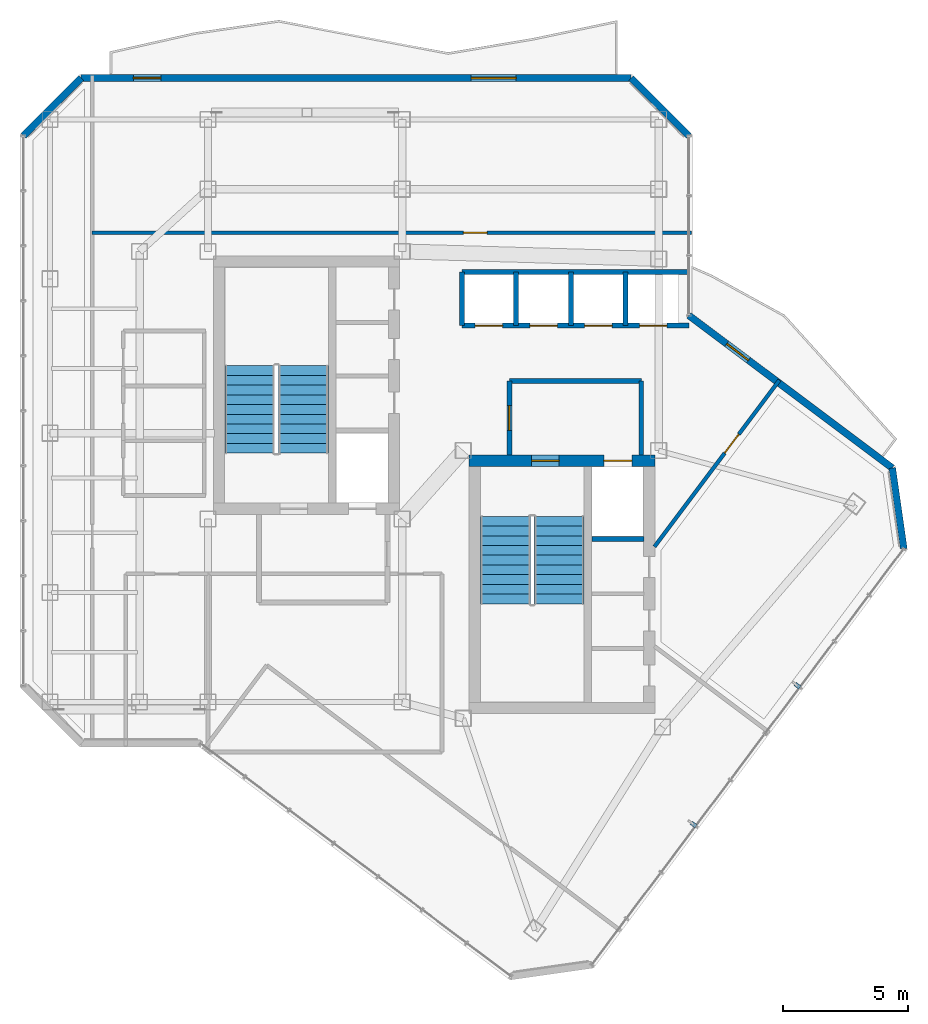
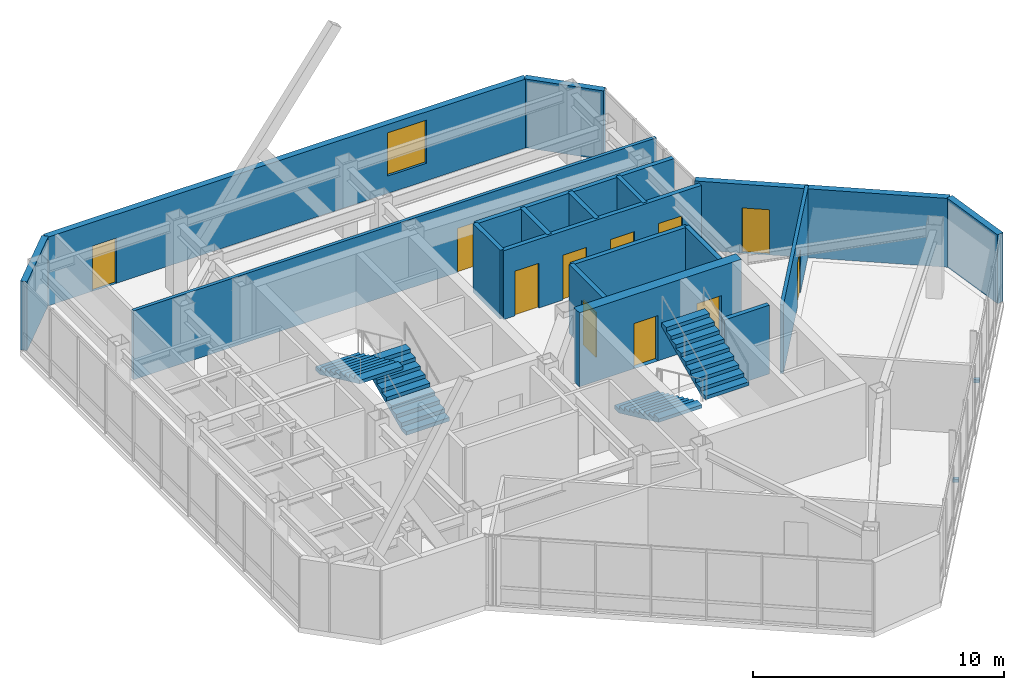
# One storey, part 19 of 22: 18 walls, 11 doors, 4 stair flights, 2 discrete accessories, 1 window, 12 openings, 2 elements without a shape of their own.
"""IFC4 building model written with IfcOpenShell, lengths in metres."""

import ifcopenshell
import ifcopenshell.guid

model = None  # the IFC model being written
_history = None  # IfcOwnerHistory: only IFC2X3 demands one
_inside = {}  # id of a spatial element -> (the spatial element, [elements in it])
_under = {}  # id of a project, library or spatial element -> (it, [spatial elements below it])
_declared = {}  # id of a project -> (the project, [libraries it declares])
_typed = {}  # id of a type object -> (the type object, [elements of that type])
_made_of = {}  # id of a material, layer set ... -> (it, [elements and type objects made of it])


def new_model(schema):
    """Start an empty IFC model of exactly this schema.

    Asked for "IFC4X3", IfcOpenShell would pick the latest addendum, in which some entities
    have other attributes; the version numbers below select the first issue.
    IFC2X3 requires an IfcOwnerHistory on every rooted entity: one is made here for all.
    """
    global model, _history
    if schema == "IFC4X3":
        model = ifcopenshell.file(schema_version=(4, 3, 0, 0))
    else:
        model = ifcopenshell.file(schema=schema)
    _inside.clear()
    _under.clear()
    _declared.clear()
    _typed.clear()
    _made_of.clear()
    _history = None
    if model.schema == "IFC2X3":
        org = make("IfcOrganization", Name="unknown")
        user = make(
            "IfcPersonAndOrganization",
            ThePerson=make("IfcPerson", FamilyName="unknown"),
            TheOrganization=org,
        )
        app = make(
            "IfcApplication",
            ApplicationDeveloper=org,
            Version="unknown",
            ApplicationFullName="unknown",
            ApplicationIdentifier="unknown",
        )
        _history = make(
            "IfcOwnerHistory",
            OwningUser=user,
            OwningApplication=app,
            ChangeAction="ADDED",
            CreationDate=0,
        )
    return model


def make(cls, **values):
    """One entity of the class cls with the attributes given. An attribute that is None is left unset."""
    return model.create_entity(
        cls, **{name: value for name, value in values.items() if value is not None}
    )


def rooted(cls, **values):
    """An entity with a GlobalId (a new one), such as an element, a storey or a relation."""
    return make(cls, GlobalId=ifcopenshell.guid.new(), OwnerHistory=_history, **values)


def si_unit(unit_type, name, prefix=None):
    """IfcSIUnit, for example si_unit("LENGTHUNIT", "METRE", prefix="MILLI")."""
    return make("IfcSIUnit", UnitType=unit_type, Prefix=prefix, Name=name)


def assignment(units):
    """IfcUnitAssignment: the units of a project."""
    return None if units is None else make("IfcUnitAssignment", Units=units)


def point(xyz):
    """IfcCartesianPoint."""
    return None if xyz is None else make("IfcCartesianPoint", Coordinates=xyz)


def direction(xyz):
    """IfcDirection."""
    return None if xyz is None else make("IfcDirection", DirectionRatios=xyz)


def frame(location, z_axis=None, x_axis=None):
    """IfcAxis2Placement3D, a coordinate frame: its origin and axes. An axis left out is left unset."""
    return make(
        "IfcAxis2Placement3D",
        Location=point(location),
        Axis=direction(z_axis),
        RefDirection=direction(x_axis),
    )


def frame_2d(location, x_axis=None):
    """IfcAxis2Placement2D, a coordinate frame in the plane: its origin and x axis."""
    return make(
        "IfcAxis2Placement2D", Location=point(location), RefDirection=direction(x_axis)
    )


def origin():
    """The frame at (0, 0, 0) with its axes left unset."""
    return frame((0.0, 0.0, 0.0))


def origin_2d():
    """The frame at (0, 0) in the plane with its x axis left unset."""
    return frame_2d((0.0, 0.0))


def place(relative_to, where):
    """IfcLocalPlacement: puts the frame where relative to a parent placement (None: the world)."""
    return make(
        "IfcLocalPlacement", PlacementRelTo=relative_to, RelativePlacement=where
    )


def context(
    kind, dimensions, precision=None, world=None, true_north=None, identifier=None
):
    """IfcGeometricRepresentationContext, for example the 3D "Model" context."""
    return make(
        "IfcGeometricRepresentationContext",
        ContextIdentifier=identifier,
        ContextType=kind,
        CoordinateSpaceDimension=dimensions,
        Precision=precision,
        WorldCoordinateSystem=world,
        TrueNorth=true_north,
    )


def subcontext(parent, identifier, kind, view, scale=None):
    """IfcGeometricRepresentationSubContext, for example "Body" below "Model"."""
    return make(
        "IfcGeometricRepresentationSubContext",
        ContextIdentifier=identifier,
        ContextType=kind,
        ParentContext=parent,
        TargetScale=scale,
        TargetView=view,
    )


def project(units=None, contexts=None):
    """IfcProject with its units and contexts."""
    return rooted(
        "IfcProject",
        Name="project",
        RepresentationContexts=contexts,
        UnitsInContext=assignment(units),
    )


def spatial(cls, under=None, at=None, **own):
    """A site, building, storey or space (cls), placed at a placement, below another one or the project."""
    s = rooted(cls, ObjectPlacement=at, **own)
    if under is not None:
        _under.setdefault(under.id(), (under, []))[1].append(s)
    return s


def polyline(points):
    """IfcPolyline through the points."""
    return make("IfcPolyline", Points=[point(p) for p in points])


def profile(cls, at=None, kind="AREA", **sizes):
    """A parametric profile (cls). Its sizes go by their IFC names, for example OverallWidth=200.0."""
    return make(cls, ProfileType=kind, Position=at, **sizes)


def rectangle(**sizes):
    """IfcRectangleProfileDef."""
    return profile("IfcRectangleProfileDef", **sizes)


def outline(outer, holes=None, kind="AREA"):
    """IfcArbitraryClosedProfileDef: a profile drawn as a closed curve; with holes, ...WithVoids."""
    if holes is None:
        return make("IfcArbitraryClosedProfileDef", ProfileType=kind, OuterCurve=outer)
    return make(
        "IfcArbitraryProfileDefWithVoids",
        ProfileType=kind,
        OuterCurve=outer,
        InnerCurves=holes,
    )


def extrude(swept, where, along, depth):
    """IfcExtrudedAreaSolid: the profile swept, set in the frame where, extruded along a direction by depth."""
    return make(
        "IfcExtrudedAreaSolid",
        SweptArea=swept,
        Position=where,
        ExtrudedDirection=direction(along),
        Depth=depth,
    )


def shape(context_of_items, identifier, shape_type, items):
    """IfcShapeRepresentation: the items that make up one representation, for example the "Body"."""
    return make(
        "IfcShapeRepresentation",
        ContextOfItems=context_of_items,
        RepresentationIdentifier=identifier,
        RepresentationType=shape_type,
        Items=items,
    )


def material(Name=None, Category=None):
    """IfcMaterial."""
    return make("IfcMaterial", Name=Name, Category=Category)


def layer(
    of_material, thickness, ventilated=None, Name=None, Category=None, Priority=None
):
    """IfcMaterialLayer: one layer of a wall or slab, of a material (None: an air gap)."""
    return make(
        "IfcMaterialLayer",
        Material=of_material,
        LayerThickness=thickness,
        IsVentilated=ventilated,
        Name=Name,
        Category=Category,
        Priority=Priority,
    )


def layer_set(layers, Name=None):
    """IfcMaterialLayerSet."""
    return make("IfcMaterialLayerSet", MaterialLayers=layers, LayerSetName=Name)


def made_of(thing, what):
    """Note that an element or type object is made of a material, layer set ...; save() writes the relation."""
    if what is not None:
        _made_of.setdefault(what.id(), (what, []))[1].append(thing)
    return thing


def type_object(cls, material=None, **own):
    """A type object (cls), such as IfcWallType, which elements share."""
    return made_of(rooted(cls, **own), material)


def element(
    cls,
    number,
    at=None,
    inside=None,
    cuts=None,
    type_object=None,
    material=None,
    context=None,
    identifier="Body",
    shape_type=None,
    held_by="IfcProductDefinitionShape",
    body=None,
    shapes=None,
    **own,
):
    """One element of the class cls, such as IfcWall. Its Tag is "e" and its number.

    at: its placement. inside: the storey or other place that contains it. cuts: it is an
    opening in that element (IfcRelVoidsElement). A single representation is given by context,
    identifier, shape_type and body (its items); several are given by shapes. held_by: the class
    of the entity that holds the representations. save() writes the other relations.
    """
    e = rooted(cls, Tag="e%d" % number, ObjectPlacement=at, **own)
    if body is not None:
        shapes = [shape(context, identifier, shape_type, body)]
    if shapes is not None:
        e.Representation = make(held_by, Representations=shapes)
    if inside is not None:
        _inside.setdefault(inside.id(), (inside, []))[1].append(e)
    if cuts is not None:
        rooted(
            "IfcRelVoidsElement", RelatingBuildingElement=cuts, RelatedOpeningElement=e
        )
    if type_object is not None:
        _typed.setdefault(type_object.id(), (type_object, []))[1].append(e)
    return made_of(e, material)


def fill(opening, filler):
    """IfcRelFillsElement: the door or window that sits in an opening."""
    return rooted(
        "IfcRelFillsElement",
        RelatingOpeningElement=opening,
        RelatedBuildingElement=filler,
    )


def aggregate(whole, parts):
    """IfcRelAggregates: a whole, such as a stair, and the parts it consists of."""
    return rooted("IfcRelAggregates", RelatingObject=whole, RelatedObjects=parts)


def save(model, path):
    """Write the relations noted so far, then the file.

    IfcRelAggregates (storeys below a building ...), IfcRelContainedInSpatialStructure (elements
    in a storey), IfcRelDefinesByType, IfcRelAssociatesMaterial and IfcRelDeclares: one each for
    every whole, place, type object, material and project.
    """
    for whole, parts in _under.values():
        aggregate(whole, parts)
    for where, things in _inside.values():
        rooted(
            "IfcRelContainedInSpatialStructure",
            RelatedElements=things,
            RelatingStructure=where,
        )
    for kind, things in _typed.values():
        rooted("IfcRelDefinesByType", RelatedObjects=things, RelatingType=kind)
    for what, things in _made_of.values():
        rooted("IfcRelAssociatesMaterial", RelatedObjects=things, RelatingMaterial=what)
    for by, libraries in _declared.values():
        rooted("IfcRelDeclares", RelatingContext=by, RelatedDefinitions=libraries)
    model.write(path)


model = new_model("IFC4")

# Units and contexts
model_context = context("Model", 3, precision=1e-05, world=origin(), true_north=direction((0.0, 1.0)))
body_context = subcontext(model_context, "Body", "Model", "MODEL_VIEW")
ifc_project = project(units=[si_unit("LENGTHUNIT", "METRE"), si_unit("AREAUNIT", "SQUARE_METRE"), si_unit("VOLUMEUNIT", "CUBIC_METRE"), si_unit("PLANEANGLEUNIT", "RADIAN"), si_unit("MASSUNIT", "GRAM", prefix="KILO")], contexts=[model_context])

# Site, building, storey
site_placement = place(None, origin())
site = spatial("IfcSite", under=ifc_project, at=site_placement, CompositionType="ELEMENT")
building_placement = place(site_placement, origin())
building = spatial("IfcBuilding", under=site, at=building_placement, Name="Hatsunagi Terrace Concourse", CompositionType="ELEMENT")
storey_placement = place(building_placement, frame((0.0, 0.0, 239.550048828125)))
storey = spatial("IfcBuildingStorey", under=building, at=storey_placement, Name="L63", CompositionType="ELEMENT", Elevation=239.550048828125)

# Wall, openings, doors
ifc_material_1 = material(Name="Concrete Fc42", Category="concrete")
ifc_layer_1 = layer(ifc_material_1, 0.449951171875)
ifc_layer_set_1 = layer_set([ifc_layer_1], Name="CoreShearWall_Fc42_450")
wall_type_1 = type_object("IfcWallType", Name="CoreShearWall_Fc42_450", PredefinedType="SHEAR", material=ifc_layer_set_1)
wall_1_placement = place(storey_placement, frame((36.0400390625, 34.89501953125, 0.0), z_axis=(0.0, 0.0, 1.0), x_axis=(1.0, 0.0, 0.0)))
wall_1 = element("IfcWall", 1, at=wall_1_placement, inside=storey, type_object=wall_type_1, Name="Core B Shear Wall N L63", PredefinedType="SHEAR", context=body_context, shape_type="SweptSolid", body=[
    extrude(rectangle(XDim=7.4599609375, YDim=0.449951171875, at=frame_2d((3.72998046875, 0.0))), origin(), (0.0, 0.0, 1.0), 3.599853515625),
])
opening_1_placement = place(wall_1_placement, frame((2.510009765625, 0.0, 0.0)))
opening_1 = element("IfcOpeningElement", 2, at=opening_1_placement, cuts=wall_1, Name="Opening DR-110S", PredefinedType="OPENING", context=body_context, shape_type="SweptSolid", body=[
    extrude(rectangle(XDim=1.10009765625, YDim=2.199951171875, at=frame_2d((0.550048828125, 1.10009765625))), frame((0.0, 0.23486328125, 0.0), z_axis=(0.0, -1.0, 0.0), x_axis=(1.0, 0.0, 0.0)), (0.0, 0.0, 1.0), 0.469970703125),
])
opening_2_placement = place(wall_1_placement, frame((5.409912109375, 0.0, 0.0)))
opening_2 = element("IfcOpeningElement", 3, at=opening_2_placement, cuts=wall_1, Name="Opening LD-02", PredefinedType="OPENING", context=body_context, shape_type="SweptSolid", body=[
    extrude(rectangle(XDim=1.1201171875, YDim=2.14990234375, at=frame_2d((0.56005859375, 1.074951171875))), frame((0.0, 0.23486328125, 0.0), z_axis=(0.0, -1.0, 0.0), x_axis=(1.0, 0.0, 0.0)), (0.0, 0.0, 1.0), 0.469970703125),
])
ifc_material_2 = material(Name="Stainless steel", Category="steel")
door_type_1 = type_object("IfcDoorType", Name="LiftLandingDoor_LD02", OperationType="SLIDING_TO_RIGHT", PredefinedType="USERDEFINED", material=ifc_material_2)
door_1_placement = place(opening_2_placement, origin())
door_1 = element("IfcDoor", 4, at=door_1_placement, inside=storey, type_object=door_type_1, Name="Lift landing door FF-02 L63", ObjectType="SLIDING_LANDING_DOOR", OperationType="SLIDING_TO_RIGHT", OverallHeight=2.14990234375, OverallWidth=1.1201171875, PredefinedType="USERDEFINED", context=body_context, shape_type="SweptSolid", body=[
    extrude(rectangle(XDim=1.1201171875, YDim=2.14990234375, at=frame_2d((0.56005859375, 1.074951171875))), frame((0.0, 0.02490234375, 0.0), z_axis=(0.0, -1.0, 0.0), x_axis=(1.0, 0.0, 0.0)), (0.0, 0.0, 1.0), 0.050048828125),
])
fill(opening_2, door_1)
ifc_material_3 = material(Name="Painted steel", Category="steel")
door_type_2 = type_object("IfcDoorType", Name="StairFireDoor_EI60_1100", OperationType="NOTDEFINED", PredefinedType="DOOR", material=ifc_material_3)
door_2_placement = place(opening_1_placement, origin())
door_2 = element("IfcDoor", 5, at=door_2_placement, inside=storey, type_object=door_type_2, Name="Stair ST-B Exit Door L63", OperationType="SINGLE_SWING_RIGHT", OverallHeight=2.199951171875, OverallWidth=1.10009765625, PredefinedType="DOOR", context=body_context, shape_type="SweptSolid", body=[
    extrude(rectangle(XDim=1.10009765625, YDim=2.199951171875, at=frame_2d((0.550048828125, 1.10009765625))), frame((0.0, 0.02490234375, 0.0), z_axis=(0.0, -1.0, 0.0), x_axis=(1.0, 0.0, 0.0)), (0.0, 0.0, 1.0), 0.050048828125),
])
fill(opening_1, door_2)

# Wall, opening, door
ifc_material_4 = material(Name="Acoustic mineral board", Category="gypsum")
ifc_layer_2 = layer(ifc_material_4, 0.14990234375)
ifc_layer_set_2 = layer_set([ifc_layer_2], Name="PartitionWall_EI60_150")
wall_type_2 = type_object("IfcWallType", Name="PartitionWall_EI60_150", PredefinedType="PARTITIONING", material=ifc_layer_set_2)
wall_2_placement = place(storey_placement, frame((20.89990234375, 44.050048828125, 0.0), z_axis=(0.0, 0.0, 1.0), x_axis=(1.0, 0.0, 0.0)))
wall_2 = element("IfcWall", 6, at=wall_2_placement, inside=storey, type_object=wall_type_2, Name="Interior Partition IW-L63-032", PredefinedType="PARTITIONING", context=body_context, shape_type="SweptSolid", body=[
    extrude(rectangle(XDim=24.06005859375, YDim=0.14990234375, at=frame_2d((12.030029296875, 0.0))), origin(), (0.0, 0.0, 1.0), 3.349853515625),
])
opening_3_placement = place(wall_2_placement, frame((14.907958984375, 0.0, 0.0)))
opening_3 = element("IfcOpeningElement", 7, at=opening_3_placement, cuts=wall_2, Name="Opening DR-095", PredefinedType="OPENING", context=body_context, shape_type="SweptSolid", body=[
    extrude(rectangle(XDim=0.949951171875, YDim=2.14990234375, at=frame_2d((0.47509765625, 1.074951171875))), frame((0.0, 0.0849609375, 0.0), z_axis=(0.0, -1.0, 0.0), x_axis=(1.0, 0.0, 0.0)), (0.0, 0.0, 1.0), 0.169921875),
])
ifc_material_5 = material(Name="Hardwood timber", Category="wood")
door_type_3 = type_object("IfcDoorType", Name="InteriorSuiteDoor_EI30_950", OperationType="NOTDEFINED", PredefinedType="DOOR", material=ifc_material_5)
door_3_placement = place(opening_3_placement, origin())
door_3 = element("IfcDoor", 8, at=door_3_placement, inside=storey, type_object=door_type_3, Name="Collaboration Lounge L63-ON1 Door", OperationType="SINGLE_SWING_LEFT", OverallHeight=2.14990234375, OverallWidth=0.949951171875, PredefinedType="DOOR", context=body_context, shape_type="SweptSolid", body=[
    extrude(rectangle(XDim=0.949951171875, YDim=2.14990234375, at=frame_2d((0.47509765625, 1.074951171875))), frame((0.0, 0.02490234375, 0.0), z_axis=(0.0, -1.0, 0.0), x_axis=(1.0, 0.0, 0.0)), (0.0, 0.0, 1.0), 0.050048828125),
])
fill(opening_3, door_3)

wall_3_placement = place(storey_placement, frame((43.47998046875, 31.43994140625, 0.0), z_axis=(0.0, 0.0, 1.0), x_axis=(0.600009344989, 0.799992991173, 0.0)))
wall_3 = element("IfcWall", 9, at=wall_3_placement, inside=storey, type_object=wall_type_2, Name="Interior Partition IW-L63-034", PredefinedType="PARTITIONING", context=body_context, shape_type="SweptSolid", body=[
    extrude(rectangle(XDim=8.360107421875, YDim=0.14990234375, at=frame_2d((4.18017578125, 0.0))), origin(), (0.0, 0.0, 1.0), 3.349853515625),
])
opening_4_placement = place(wall_3_placement, frame((4.702880859375, 0.0, 0.0)))
opening_4 = element("IfcOpeningElement", 10, at=opening_4_placement, cuts=wall_3, Name="Opening DR-095", PredefinedType="OPENING", context=body_context, shape_type="SweptSolid", body=[
    extrude(rectangle(XDim=0.949951171875, YDim=2.14990234375, at=frame_2d((0.47509765625, 1.074951171875))), frame((0.0, 0.0849609375, 0.0), z_axis=(0.0, -1.0, 0.0), x_axis=(1.0, 0.0, 0.0)), (0.0, 0.0, 1.0), 0.169921875),
])
door_4_placement = place(opening_4_placement, origin())
door_4 = element("IfcDoor", 11, at=door_4_placement, inside=storey, type_object=door_type_3, Name="Design Studio L63-OSE1 Door", OperationType="SINGLE_SWING_RIGHT", OverallHeight=2.14990234375, OverallWidth=0.949951171875, PredefinedType="DOOR", context=body_context, shape_type="SweptSolid", body=[
    extrude(rectangle(XDim=0.949951171875, YDim=2.14990234375, at=frame_2d((0.47509765625, 1.074951171875))), frame((0.0, 0.02490234375, 0.0), z_axis=(0.0, -1.0, 0.0), x_axis=(1.0, 0.0, 0.0)), (0.0, 0.0, 1.0), 0.050048828125),
])
fill(opening_4, door_4)

# Walls
ifc_material_6 = material(Name="Acoustic mineral board", Category="gypsum")
ifc_layer_3 = layer(ifc_material_6, 0.199951171875)
ifc_layer_set_3 = layer_set([ifc_layer_3], Name="ShaftWall_EI120_200")
wall_type_3 = type_object("IfcWallType", Name="ShaftWall_EI120_200", PredefinedType="STANDARD", material=ifc_layer_set_3)
wall_4_placement = place(storey_placement, frame((40.969970703125, 31.760009765625, 0.0), z_axis=(0.0, 0.0, 1.0), x_axis=(1.0, 0.0, 0.0)))
element("IfcWall", 12, at=wall_4_placement, inside=storey, type_object=wall_type_3, Name="Interior Partition IW-L63-004", PredefinedType="STANDARD", context=body_context, shape_type="SweptSolid", body=[
    extrude(rectangle(XDim=2.080078125, YDim=0.199951171875, at=frame_2d((1.0400390625, 0.0))), origin(), (0.0, 0.0, 1.0), 3.349853515625),
])
wall_5_placement = place(storey_placement, frame((37.64990234375, 38.10009765625, 0.0), z_axis=(0.0, 0.0, 1.0), x_axis=(1.0, 0.0, 0.0)))
element("IfcWall", 13, at=wall_5_placement, inside=storey, type_object=wall_type_3, Name="Interior Partition IW-L63-010", PredefinedType="STANDARD", context=body_context, shape_type="SweptSolid", body=[
    extrude(rectangle(XDim=5.300048828125, YDim=0.199951171875, at=frame_2d((2.64990234375, 0.0))), origin(), (0.0, 0.0, 1.0), 3.349853515625),
])
wall_6_placement = place(storey_placement, frame((42.949951171875, 35.1201171875, 0.0), z_axis=(0.0, 0.0, 1.0), x_axis=(0.0, 1.0, 0.0)))
element("IfcWall", 14, at=wall_6_placement, inside=storey, type_object=wall_type_3, Name="Interior Partition IW-L63-011", PredefinedType="STANDARD", context=body_context, shape_type="SweptSolid", body=[
    extrude(rectangle(XDim=2.97998046875, YDim=0.199951171875, at=frame_2d((1.489990234375, 0.0))), origin(), (0.0, 0.0, 1.0), 3.349853515625),
])

# Wall, opening, door
wall_7_placement = place(storey_placement, frame((37.64990234375, 35.1201171875, 0.0), z_axis=(0.0, 0.0, 1.0), x_axis=(0.0, 1.0, 0.0)))
wall_7 = element("IfcWall", 15, at=wall_7_placement, inside=storey, type_object=wall_type_3, Name="Interior Partition IW-L63-012", PredefinedType="STANDARD", context=body_context, shape_type="SweptSolid", body=[
    extrude(rectangle(XDim=2.97998046875, YDim=0.199951171875, at=frame_2d((1.489990234375, 0.0))), origin(), (0.0, 0.0, 1.0), 3.349853515625),
])
opening_5_placement = place(wall_7_placement, frame((0.989990234375, 0.0, 0.0)))
opening_5 = element("IfcOpeningElement", 16, at=opening_5_placement, cuts=wall_7, Name="Opening DR-100F", PredefinedType="OPENING", context=body_context, shape_type="SweptSolid", body=[
    extrude(rectangle(XDim=1.0, YDim=2.199951171875, at=frame_2d((0.5, 1.10009765625))), frame((0.0, 0.10986328125, 0.0), z_axis=(0.0, -1.0, 0.0), x_axis=(1.0, 0.0, 0.0)), (0.0, 0.0, 1.0), 0.219970703125),
])
ifc_material_7 = material(Name="Painted steel", Category="steel")
door_type_4 = type_object("IfcDoorType", Name="FireDoor_EI60_1000", OperationType="NOTDEFINED", PredefinedType="DOOR", material=ifc_material_7)
door_5_placement = place(opening_5_placement, origin())
door_5 = element("IfcDoor", 17, at=door_5_placement, inside=storey, type_object=door_type_4, Name="Firefighting Lobby B Door L63", OperationType="SINGLE_SWING_RIGHT", OverallHeight=2.199951171875, OverallWidth=1.0, PredefinedType="DOOR", context=body_context, shape_type="SweptSolid", body=[
    extrude(rectangle(XDim=1.0, YDim=2.199951171875, at=frame_2d((0.5, 1.10009765625))), frame((0.0, 0.02490234375, 0.0), z_axis=(0.0, -1.0, 0.0), x_axis=(1.0, 0.0, 0.0)), (0.0, 0.0, 1.0), 0.050048828125),
])
fill(opening_5, door_5)

# Walls
wall_8_placement = place(storey_placement, frame((35.75, 42.47998046875, 0.0), z_axis=(0.0, 0.0, 1.0), x_axis=(1.0, 0.0, 0.0)))
element("IfcWall", 18, at=wall_8_placement, inside=storey, type_object=wall_type_3, Name="Interior Partition IW-L63-013", PredefinedType="STANDARD", context=body_context, shape_type="SweptSolid", body=[
    extrude(rectangle(XDim=9.110107421875, YDim=0.199951171875, at=frame_2d((4.55517578125, 0.0))), origin(), (0.0, 0.0, 1.0), 3.349853515625),
])
for number, where, z_axis, x_axis, name in (
    (19, (35.75, 40.320068359375, 0.0), (0.0, 0.0, 1.0), (0.0, 1.0, 0.0), "Interior Partition IW-L63-014"),
    (20, (37.919921875, 40.320068359375, 0.0), (0.0, 0.0, 1.0), (0.0, 1.0, 0.0), "Interior Partition IW-L63-015"),
    (21, (40.1201171875, 40.320068359375, 0.0), (0.0, 0.0, 1.0), (0.0, 1.0, 0.0), "Interior Partition IW-L63-016"),
    (22, (42.320068359375, 40.320068359375, 0.0), (0.0, 0.0, 1.0), (0.0, 1.0, 0.0), "Interior Partition IW-L63-017"),
):
    element("IfcWall", number, at=place(storey_placement, frame(where, z_axis=z_axis, x_axis=x_axis)), inside=storey, type_object=wall_type_3, Name=name, PredefinedType="STANDARD", context=body_context, shape_type="SweptSolid", body=[
        extrude(rectangle(XDim=2.159912109375, YDim=0.199951171875, at=frame_2d((1.080078125, 0.0))), origin(), (0.0, 0.0, 1.0), 3.349853515625),
    ])

# Wall, openings, doors
wall_9_placement = place(storey_placement, frame((35.75, 40.320068359375, 0.0), z_axis=(0.0, 0.0, 1.0), x_axis=(1.0, 0.0, 0.0)))
wall_9 = element("IfcWall", 23, at=wall_9_placement, inside=storey, type_object=wall_type_3, Name="Interior Partition IW-L63-018", PredefinedType="STANDARD", context=body_context, shape_type="SweptSolid", body=[
    extrude(rectangle(XDim=9.110107421875, YDim=0.199951171875, at=frame_2d((4.55517578125, 0.0))), origin(), (0.0, 0.0, 1.0), 3.349853515625),
])
opening_6_placement = place(wall_9_placement, frame((0.530029296875, 0.0, 0.0)))
opening_6 = element("IfcOpeningElement", 24, at=opening_6_placement, cuts=wall_9, Name="Opening LD-04", PredefinedType="OPENING", context=body_context, shape_type="SweptSolid", body=[
    extrude(rectangle(XDim=1.10009765625, YDim=2.179931640625, at=frame_2d((0.550048828125, 1.08984375))), frame((0.0, 0.10986328125, 0.0), z_axis=(0.0, -1.0, 0.0), x_axis=(1.0, 0.0, 0.0)), (0.0, 0.0, 1.0), 0.219970703125),
])
opening_7_placement = place(wall_9_placement, frame((2.72998046875, 0.0, 0.0)))
opening_7 = element("IfcOpeningElement", 25, at=opening_7_placement, cuts=wall_9, Name="Opening LD-04", PredefinedType="OPENING", context=body_context, shape_type="SweptSolid", body=[
    extrude(rectangle(XDim=1.10009765625, YDim=2.179931640625, at=frame_2d((0.550048828125, 1.08984375))), frame((0.0, 0.10986328125, 0.0), z_axis=(0.0, -1.0, 0.0), x_axis=(1.0, 0.0, 0.0)), (0.0, 0.0, 1.0), 0.219970703125),
])
opening_8_placement = place(wall_9_placement, frame((4.929931640625, 0.0, 0.0)))
opening_8 = element("IfcOpeningElement", 26, at=opening_8_placement, cuts=wall_9, Name="Opening LD-04", PredefinedType="OPENING", context=body_context, shape_type="SweptSolid", body=[
    extrude(rectangle(XDim=1.10009765625, YDim=2.179931640625, at=frame_2d((0.550048828125, 1.08984375))), frame((0.0, 0.10986328125, 0.0), z_axis=(0.0, -1.0, 0.0), x_axis=(1.0, 0.0, 0.0)), (0.0, 0.0, 1.0), 0.219970703125),
])
opening_9_placement = place(wall_9_placement, frame((7.1298828125, 0.0, 0.0)))
opening_9 = element("IfcOpeningElement", 27, at=opening_9_placement, cuts=wall_9, Name="Opening LD-04", PredefinedType="OPENING", context=body_context, shape_type="SweptSolid", body=[
    extrude(rectangle(XDim=1.10009765625, YDim=2.179931640625, at=frame_2d((0.550048828125, 1.08984375))), frame((0.0, 0.10986328125, 0.0), z_axis=(0.0, -1.0, 0.0), x_axis=(1.0, 0.0, 0.0)), (0.0, 0.0, 1.0), 0.219970703125),
])
ifc_material_8 = material(Name="Stainless steel", Category="steel")
door_type_5 = type_object("IfcDoorType", Name="LiftLandingDoor_LD04", OperationType="SLIDING_TO_RIGHT", PredefinedType="USERDEFINED", material=ifc_material_8)
door_6_placement = place(opening_6_placement, origin())
door_6 = element("IfcDoor", 28, at=door_6_placement, inside=storey, type_object=door_type_5, Name="Lift landing door PL-05 L63", ObjectType="SLIDING_LANDING_DOOR", OperationType="SLIDING_TO_RIGHT", OverallHeight=2.179931640625, OverallWidth=1.10009765625, PredefinedType="USERDEFINED", context=body_context, shape_type="SweptSolid", body=[
    extrude(rectangle(XDim=1.10009765625, YDim=2.179931640625, at=frame_2d((0.550048828125, 1.08984375))), frame((0.0, 0.02490234375, 0.0), z_axis=(0.0, -1.0, 0.0), x_axis=(1.0, 0.0, 0.0)), (0.0, 0.0, 1.0), 0.050048828125),
])
fill(opening_6, door_6)
door_7_placement = place(opening_7_placement, origin())
door_7 = element("IfcDoor", 29, at=door_7_placement, inside=storey, type_object=door_type_5, Name="Lift landing door PL-06 L63", ObjectType="SLIDING_LANDING_DOOR", OperationType="SLIDING_TO_RIGHT", OverallHeight=2.179931640625, OverallWidth=1.10009765625, PredefinedType="USERDEFINED", context=body_context, shape_type="SweptSolid", body=[
    extrude(rectangle(XDim=1.10009765625, YDim=2.179931640625, at=frame_2d((0.550048828125, 1.08984375))), frame((0.0, 0.02490234375, 0.0), z_axis=(0.0, -1.0, 0.0), x_axis=(1.0, 0.0, 0.0)), (0.0, 0.0, 1.0), 0.050048828125),
])
fill(opening_7, door_7)
door_8_placement = place(opening_8_placement, origin())
door_8 = element("IfcDoor", 30, at=door_8_placement, inside=storey, type_object=door_type_5, Name="Lift landing door PL-07 L63", ObjectType="SLIDING_LANDING_DOOR", OperationType="SLIDING_TO_RIGHT", OverallHeight=2.179931640625, OverallWidth=1.10009765625, PredefinedType="USERDEFINED", context=body_context, shape_type="SweptSolid", body=[
    extrude(rectangle(XDim=1.10009765625, YDim=2.179931640625, at=frame_2d((0.550048828125, 1.08984375))), frame((0.0, 0.02490234375, 0.0), z_axis=(0.0, -1.0, 0.0), x_axis=(1.0, 0.0, 0.0)), (0.0, 0.0, 1.0), 0.050048828125),
])
fill(opening_8, door_8)
door_9_placement = place(opening_9_placement, origin())
door_9 = element("IfcDoor", 31, at=door_9_placement, inside=storey, type_object=door_type_5, Name="Lift landing door PL-08 L63", ObjectType="SLIDING_LANDING_DOOR", OperationType="SLIDING_TO_RIGHT", OverallHeight=2.179931640625, OverallWidth=1.10009765625, PredefinedType="USERDEFINED", context=body_context, shape_type="SweptSolid", body=[
    extrude(rectangle(XDim=1.10009765625, YDim=2.179931640625, at=frame_2d((0.550048828125, 1.08984375))), frame((0.0, 0.02490234375, 0.0), z_axis=(0.0, -1.0, 0.0), x_axis=(1.0, 0.0, 0.0)), (0.0, 0.0, 1.0), 0.050048828125),
])
fill(opening_9, door_9)

# Wall, opening, door
ifc_material_9 = material(Name="Autoclaved Lightweight Concrete and Terracotta Cladding", Category="masonry")
ifc_layer_4 = layer(ifc_material_9, 0.280029296875)
ifc_layer_set_4 = layer_set([ifc_layer_4], Name="TerracottaSpandrelWall_280")
wall_type_4 = type_object("IfcWallType", Name="TerracottaSpandrelWall_280", PredefinedType="STANDARD", material=ifc_layer_set_4)
wall_10_placement = place(storey_placement, frame((44.860107421875, 40.72998046875, 0.0), z_axis=(0.0, 0.0, 1.0), x_axis=(0.800022950109, -0.599969398635, 0.0)))
wall_10 = element("IfcWall", 32, at=wall_10_placement, inside=storey, type_object=wall_type_4, Name="Exterior Spandrel Wall EW-L63-01", PredefinedType="STANDARD", context=body_context, shape_type="SweptSolid", body=[
    extrude(rectangle(XDim=10.212158203125, YDim=0.280029296875, at=frame_2d((5.10595703125, 0.0))), origin(), (0.0, 0.0, 1.0), 3.349853515625),
])
opening_10_placement = place(wall_10_placement, frame((1.90087890625, 0.0, 0.0)))
opening_10 = element("IfcOpeningElement", 33, at=opening_10_placement, cuts=wall_10, Name="Opening BD-01", PredefinedType="OPENING", context=body_context, shape_type="SweptSolid", body=[
    extrude(rectangle(XDim=1.10009765625, YDim=2.199951171875, at=frame_2d((0.550048828125, 1.10009765625))), frame((0.0, 0.14990234375, 0.0), z_axis=(0.0, -1.0, 0.0), x_axis=(1.0, 0.0, 0.0)), (0.0, 0.0, 1.0), 0.300048828125),
])
ifc_material_10 = material(Name="Galvanised Steel and Laminated Safety Glass", Category="steel")
door_type_6 = type_object("IfcDoorType", Name="BalconyTerraceAccessDoor_1100x2200", OperationType="SINGLE_SWING_LEFT", PredefinedType="DOOR", material=ifc_material_10)
door_10_placement = place(opening_10_placement, origin())
door_10 = element("IfcDoor", 34, at=door_10_placement, inside=storey, type_object=door_type_6, Name="Engawa Balcony Door L63-BSE", OperationType="SINGLE_SWING_LEFT", OverallHeight=2.199951171875, OverallWidth=1.10009765625, PredefinedType="DOOR", context=body_context, shape_type="SweptSolid", body=[
    extrude(rectangle(XDim=1.10009765625, YDim=2.199951171875, at=frame_2d((0.550048828125, 1.10009765625))), frame((0.0, 0.02490234375, 0.0), z_axis=(0.0, -1.0, 0.0), x_axis=(1.0, 0.0, 0.0)), (0.0, 0.0, 1.0), 0.050048828125),
])
fill(opening_10, door_10)

# Walls
wall_11_placement = place(storey_placement, frame((53.030029296875, 34.60302734375, 0.0), z_axis=(0.0, 0.0, 1.0), x_axis=(0.141212810973, -0.989979263428, 0.0)))
element("IfcWall", 35, at=wall_11_placement, inside=storey, type_object=wall_type_4, Name="Exterior Spandrel Wall EW-L63-02", PredefinedType="STANDARD", context=body_context, shape_type="SweptSolid", body=[
    extrude(rectangle(XDim=3.278076171875, YDim=0.280029296875, at=frame_2d((1.63916015625, 0.0))), origin(), (0.0, 0.0, 1.0), 3.349853515625),
])
wall_12_placement = place(storey_placement, frame((18.139892578125, 47.94189453125, 0.0), z_axis=(0.0, 0.0, 1.0), x_axis=(0.707106781187, 0.707106781187, 0.0)))
element("IfcWall", 36, at=wall_12_placement, inside=storey, type_object=wall_type_4, Name="Exterior Spandrel Wall EW-L63-09", PredefinedType="STANDARD", context=body_context, shape_type="SweptSolid", body=[
    extrude(rectangle(XDim=3.2783203125, YDim=0.280029296875, at=frame_2d((1.63916015625, 0.0))), origin(), (0.0, 0.0, 1.0), 3.349853515625),
])

# Wall, openings, door, window
wall_13_placement = place(storey_placement, frame((20.4580078125, 50.260009765625, 0.0), z_axis=(0.0, 0.0, 1.0), x_axis=(1.0, 0.0, 0.0)))
wall_13 = element("IfcWall", 37, at=wall_13_placement, inside=storey, type_object=wall_type_4, Name="Exterior Spandrel Wall EW-L63-10", PredefinedType="STANDARD", context=body_context, shape_type="SweptSolid", body=[
    extrude(rectangle(XDim=22.083984375, YDim=0.280029296875, at=frame_2d((11.0419921875, 0.0))), origin(), (0.0, 0.0, 1.0), 3.349853515625),
])
opening_11_placement = place(wall_13_placement, frame((2.10009765625, 0.0, 0.0)))
opening_11 = element("IfcOpeningElement", 38, at=opening_11_placement, cuts=wall_13, Name="Opening BD-01", PredefinedType="OPENING", context=body_context, shape_type="SweptSolid", body=[
    extrude(rectangle(XDim=1.10009765625, YDim=2.199951171875, at=frame_2d((0.550048828125, 1.10009765625))), frame((0.0, 0.14990234375, 0.0), z_axis=(0.0, -1.0, 0.0), x_axis=(1.0, 0.0, 0.0)), (0.0, 0.0, 1.0), 0.300048828125),
])
opening_12_placement = place(wall_13_placement, frame((15.6630859375, 0.0, 0.85009765625)))
opening_12 = element("IfcOpeningElement", 39, at=opening_12_placement, cuts=wall_13, Name="Opening WIN-03", PredefinedType="OPENING", context=body_context, shape_type="SweptSolid", body=[
    extrude(rectangle(XDim=1.800048828125, YDim=2.10009765625, at=frame_2d((0.89990234375, 1.050048828125))), frame((0.0, 0.14990234375, 0.0), z_axis=(0.0, -1.0, 0.0), x_axis=(1.0, 0.0, 0.0)), (0.0, 0.0, 1.0), 0.300048828125),
])
door_11_placement = place(opening_11_placement, origin())
door_11 = element("IfcDoor", 40, at=door_11_placement, inside=storey, type_object=door_type_6, Name="Engawa Balcony Door L63-BN", OperationType="SINGLE_SWING_RIGHT", OverallHeight=2.199951171875, OverallWidth=1.10009765625, PredefinedType="DOOR", context=body_context, shape_type="SweptSolid", body=[
    extrude(rectangle(XDim=1.10009765625, YDim=2.199951171875, at=frame_2d((0.550048828125, 1.10009765625))), frame((0.0, 0.02490234375, 0.0), z_axis=(0.0, -1.0, 0.0), x_axis=(1.0, 0.0, 0.0)), (0.0, 0.0, 1.0), 0.050048828125),
])
fill(opening_11, door_11)
ifc_material_11 = material(Name="Thermally Broken Aluminium and Low-E Triple Glazing", Category="aluminium")
window_type = type_object("IfcWindowType", Name="OfficeCornerFeatureWindow_1800x2100", PartitioningType="SINGLE_PANEL", PredefinedType="WINDOW", material=ifc_material_11)
window_placement = place(opening_12_placement, origin())
window = element("IfcWindow", 41, at=window_placement, inside=storey, type_object=window_type, Name="Balcony Daylighting Window L63-10-2", OverallHeight=2.10009765625, OverallWidth=1.800048828125, PartitioningType="SINGLE_PANEL", PredefinedType="WINDOW", context=body_context, shape_type="SweptSolid", body=[
    extrude(rectangle(XDim=1.800048828125, YDim=2.10009765625, at=frame_2d((0.89990234375, 1.050048828125))), frame((0.0, 0.030029296875, 0.0), z_axis=(0.0, -1.0, 0.0), x_axis=(1.0, 0.0, 0.0)), (0.0, 0.0, 1.0), 0.06005859375),
])
fill(opening_12, window)

# Wall
wall_14_placement = place(storey_placement, frame((42.5419921875, 50.260009765625, 0.0), z_axis=(0.0, 0.0, 1.0), x_axis=(0.707106781187, -0.707106781187, 0.0)))
element("IfcWall", 42, at=wall_14_placement, inside=storey, type_object=wall_type_4, Name="Exterior Spandrel Wall EW-L63-11", PredefinedType="STANDARD", context=body_context, shape_type="SweptSolid", body=[
    extrude(rectangle(XDim=3.2783203125, YDim=0.280029296875, at=frame_2d((1.63916015625, 0.0))), origin(), (0.0, 0.0, 1.0), 3.349853515625),
])

# Stair, stair flights
ifc_material_12 = material(Name="Concrete Fc42", Category="concrete")
stair_type = type_object("IfcStairType", Name="DoglegExitStair_Tower2000_20R_180", PredefinedType="HALF_TURN_STAIR", material=ifc_material_12)
stair_1_placement = place(storey_placement, origin())
stair_1 = element("IfcStair", 43, at=stair_1_placement, inside=storey, type_object=stair_type, Name="L63 Core A Protected Exit Stair ST-A", PredefinedType="HALF_TURN_STAIR")
ifc_material_13 = material(Name="Concrete Fc42", Category="concrete")
stair_flight_type = type_object("IfcStairFlightType", Name="DoglegStairFlight_Tower2000_20R_180", PredefinedType="STRAIGHT", material=ifc_material_13)
stair_flight_1_placement = place(storey_placement, frame((29.3798828125, 35.199951171875, 0.0), z_axis=(0.0, 0.0, 1.0), x_axis=(0.0, 1.0, 0.0)))
stair_flight_1 = element("IfcStairFlight", 44, at=stair_flight_1_placement, type_object=stair_flight_type, Name="ST-A flight 1", NumberOfRisers=10, NumberOfTreads=9, PredefinedType="STRAIGHT", RiserHeight=0.18, TreadLength=0.39, context=body_context, shape_type="SweptSolid", body=[
    extrude(outline(polyline([(0.0, 0.0), (0.0, 0.179931640625), (0.389892578125, 0.179931640625), (0.389892578125, 0.360107421875), (0.780029296875, 0.360107421875), (0.780029296875, 0.5400390625), (1.169921875, 0.5400390625), (1.169921875, 0.719970703125), (1.56005859375, 0.719970703125), (1.56005859375, 0.89990234375), (1.949951171875, 0.89990234375), (1.949951171875, 1.080078125), (2.340087890625, 1.080078125), (2.340087890625, 1.260009765625), (2.72998046875, 1.260009765625), (2.72998046875, 1.43994140625), (3.1201171875, 1.43994140625), (3.1201171875, 1.6201171875), (3.510009765625, 1.6201171875), (3.510009765625, 1.800048828125), (3.510009765625, 1.454833984375), (0.357666015625, 0.0), (0.0, 0.0)])), frame((0.0, 1.0, 0.0), z_axis=(0.0, -1.0, 0.0), x_axis=(1.0, 0.0, 0.0)), (0.0, 0.0, 1.0), 2.0),
])
stair_flight_2_placement = place(storey_placement, frame((27.22998046875, 38.7099609375, 1.800048828125), z_axis=(0.0, 0.0, 1.0), x_axis=(0.0, -1.0, 0.0)))
stair_flight_2 = element("IfcStairFlight", 45, at=stair_flight_2_placement, type_object=stair_flight_type, Name="ST-A flight 2", NumberOfRisers=10, NumberOfTreads=9, PredefinedType="STRAIGHT", RiserHeight=0.18, TreadLength=0.39, context=body_context, shape_type="SweptSolid", body=[
    extrude(outline(polyline([(0.0, 0.0), (0.0, 0.179931640625), (0.389892578125, 0.179931640625), (0.389892578125, 0.360107421875), (0.780029296875, 0.360107421875), (0.780029296875, 0.5400390625), (1.169921875, 0.5400390625), (1.169921875, 0.719970703125), (1.56005859375, 0.719970703125), (1.56005859375, 0.89990234375), (1.949951171875, 0.89990234375), (1.949951171875, 1.080078125), (2.340087890625, 1.080078125), (2.340087890625, 1.260009765625), (2.72998046875, 1.260009765625), (2.72998046875, 1.43994140625), (3.1201171875, 1.43994140625), (3.1201171875, 1.6201171875), (3.510009765625, 1.6201171875), (3.510009765625, 1.800048828125), (3.510009765625, 1.454833984375), (0.357666015625, 0.0), (0.0, 0.0)])), frame((0.0, 1.0, 0.0), z_axis=(0.0, -1.0, 0.0), x_axis=(1.0, 0.0, 0.0)), (0.0, 0.0, 1.0), 2.0),
])
aggregate(stair_1, [stair_flight_1, stair_flight_2])

stair_2_placement = place(storey_placement, origin())
stair_2 = element("IfcStair", 46, at=stair_2_placement, inside=storey, type_object=stair_type, Name="L63 Core B Protected Exit Stair ST-B", PredefinedType="HALF_TURN_STAIR")
stair_flight_3_placement = place(storey_placement, frame((37.5, 32.659912109375, 0.0), z_axis=(0.0, 0.0, 1.0), x_axis=(0.0, -1.0, 0.0)))
stair_flight_3 = element("IfcStairFlight", 47, at=stair_flight_3_placement, type_object=stair_flight_type, Name="ST-B flight 1", NumberOfRisers=10, NumberOfTreads=9, PredefinedType="STRAIGHT", RiserHeight=0.18, TreadLength=0.39, context=body_context, shape_type="SweptSolid", body=[
    extrude(outline(polyline([(0.0, 0.0), (0.0, 0.179931640625), (0.389892578125, 0.179931640625), (0.389892578125, 0.360107421875), (0.780029296875, 0.360107421875), (0.780029296875, 0.5400390625), (1.169921875, 0.5400390625), (1.169921875, 0.719970703125), (1.56005859375, 0.719970703125), (1.56005859375, 0.89990234375), (1.949951171875, 0.89990234375), (1.949951171875, 1.080078125), (2.340087890625, 1.080078125), (2.340087890625, 1.260009765625), (2.72998046875, 1.260009765625), (2.72998046875, 1.43994140625), (3.1201171875, 1.43994140625), (3.1201171875, 1.6201171875), (3.510009765625, 1.6201171875), (3.510009765625, 1.800048828125), (3.510009765625, 1.454833984375), (0.357666015625, 0.0), (0.0, 0.0)])), frame((0.0, 1.0, 0.0), z_axis=(0.0, -1.0, 0.0), x_axis=(1.0, 0.0, 0.0)), (0.0, 0.0, 1.0), 2.0),
])
stair_flight_4_placement = place(storey_placement, frame((39.64990234375, 29.14990234375, 1.800048828125), z_axis=(0.0, 0.0, 1.0), x_axis=(0.0, 1.0, 0.0)))
stair_flight_4 = element("IfcStairFlight", 48, at=stair_flight_4_placement, type_object=stair_flight_type, Name="ST-B flight 2", NumberOfRisers=10, NumberOfTreads=9, PredefinedType="STRAIGHT", RiserHeight=0.18, TreadLength=0.39, context=body_context, shape_type="SweptSolid", body=[
    extrude(outline(polyline([(0.0, 0.0), (0.0, 0.179931640625), (0.389892578125, 0.179931640625), (0.389892578125, 0.360107421875), (0.780029296875, 0.360107421875), (0.780029296875, 0.5400390625), (1.169921875, 0.5400390625), (1.169921875, 0.719970703125), (1.56005859375, 0.719970703125), (1.56005859375, 0.89990234375), (1.949951171875, 0.89990234375), (1.949951171875, 1.080078125), (2.340087890625, 1.080078125), (2.340087890625, 1.260009765625), (2.72998046875, 1.260009765625), (2.72998046875, 1.43994140625), (3.1201171875, 1.43994140625), (3.1201171875, 1.6201171875), (3.510009765625, 1.6201171875), (3.510009765625, 1.800048828125), (3.510009765625, 1.454833984375), (0.357666015625, 0.0), (0.0, 0.0)])), frame((0.0, 1.0, 0.0), z_axis=(0.0, -1.0, 0.0), x_axis=(1.0, 0.0, 0.0)), (0.0, 0.0, 1.0), 2.0),
])
aggregate(stair_2, [stair_flight_3, stair_flight_4])

# Discrete accessories
ifc_material_14 = material(Name="Stainless Steel SUS316 Bracket", Category="steel")
discrete_accessory_type = type_object("IfcDiscreteAccessoryType", Name="FacadeScreenSupportBracket_SS", PredefinedType="BRACKET", material=ifc_material_14)
for number, where, z_axis, x_axis, name in (
    (49, (49.22802734375, 25.85498046875, 0.97021484375), (0.0, 0.0, 1.0), (-0.599969314634, -0.800023013105, 0.0), "Terracotta Screen Bracket BRK-01"),
    (50, (45.052001953125, 20.284912109375, 0.97021484375), (0.0, 0.0, 1.0), (-0.599969314634, -0.800023013105, 0.0), "Terracotta Screen Bracket BRK-01"),
):
    element("IfcDiscreteAccessory", number, at=place(storey_placement, frame(where, z_axis=z_axis, x_axis=x_axis)), inside=storey, type_object=discrete_accessory_type, Name=name, PredefinedType="BRACKET", context=body_context, shape_type="SweptSolid", body=[
        extrude(rectangle(XDim=0.159912109375, YDim=0.239990234375, at=origin_2d()), origin(), (0.0, 0.0, 1.0), 0.159912109375),
    ])

save(model, "model.ifc")
